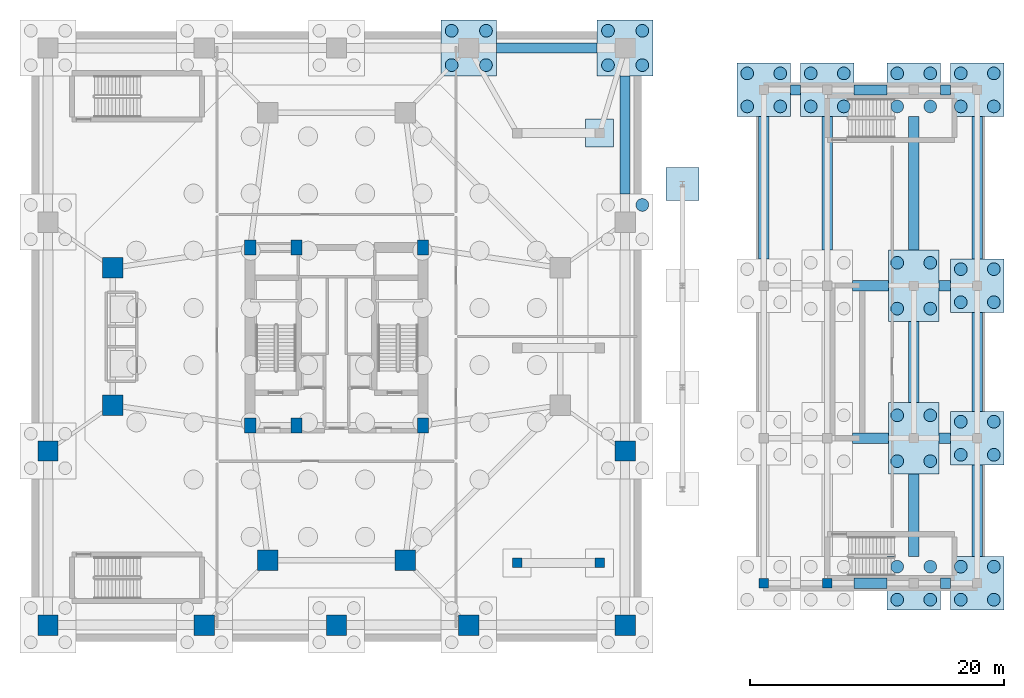
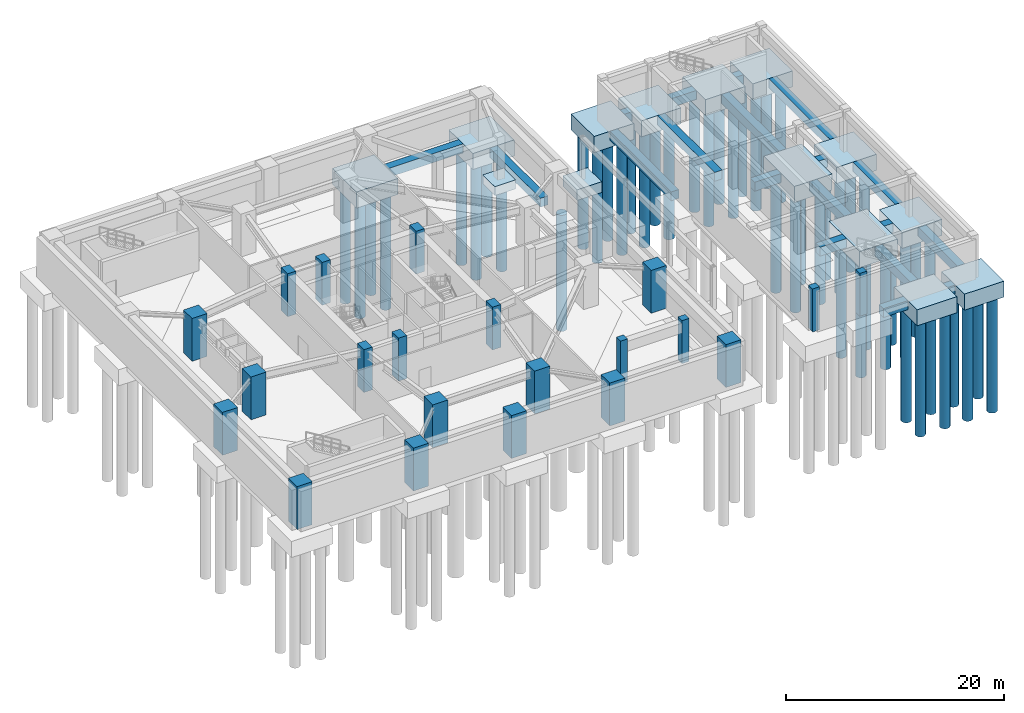
# One storey, part 2 of 11: 49 piles, 33 footings, 21 columns.
"""IFC4 building model written with IfcOpenShell, lengths in metres."""

from ifc_helpers import new_model, si_unit, direction, frame, origin, origin_2d, place, context, subcontext, project, spatial, rectangle, circle, extrude, source, transform, mapped, material, material_profile, profile_set, type_object, element, save


model = new_model("IFC4")

# Units and contexts
model_context = context("Model", 3, precision=1e-05, world=origin(), true_north=direction((0.0, 1.0)))
body_context = subcontext(model_context, "Body", "Model", "MODEL_VIEW")
ifc_project = project(units=[si_unit("LENGTHUNIT", "METRE"), si_unit("AREAUNIT", "SQUARE_METRE"), si_unit("VOLUMEUNIT", "CUBIC_METRE"), si_unit("PLANEANGLEUNIT", "RADIAN"), si_unit("MASSUNIT", "GRAM", prefix="KILO")], contexts=[model_context])

# Site, building, storey
site_placement = place(None, origin())
site = spatial("IfcSite", under=ifc_project, at=site_placement, CompositionType="ELEMENT")
building_placement = place(site_placement, origin())
building = spatial("IfcBuilding", under=site, at=building_placement, Name="Veraguas Prism Commons", CompositionType="ELEMENT")
storey_placement = place(building_placement, frame((0.0, 0.0, -10.0)))
storey = spatial("IfcBuildingStorey", under=building, at=storey_placement, Name="B2", CompositionType="ELEMENT", Elevation=-10.0)

# Footings
ifc_material_1 = material(Name="Concrete C45/55", Category="concrete")
ifc_material_profile_1 = material_profile(ifc_material_1, rectangle(XDim=0.800048828125, YDim=1.0, at=origin_2d()), Name="RC800X1000")
ifc_profile_set_1 = profile_set([ifc_material_profile_1], Name="Concrete C45/55")
footing_type_1 = type_object("IfcFootingType", Name="Substructure Ground Tie Beam RC 800x1000", PredefinedType="FOOTING_BEAM", material=ifc_profile_set_1)
footing_1_placement = place(storey_placement, frame((46.699951171875, 35.199951171875, -0.5), z_axis=(0.0, 1.0, 0.0), x_axis=(-1.0, 0.0, 0.0)))
element("IfcFooting", 1, at=footing_1_placement, inside=storey, type_object=footing_type_1, Name="Podium Ground Tie Beam FBP-07", PredefinedType="FOOTING_BEAM", context=body_context, shape_type="SweptSolid", body=[
    extrude(rectangle(XDim=0.800048828125, YDim=1.0, at=origin_2d()), origin(), (0.0, 0.0, 1.0), 9.300048828125),
])
footing_2_placement = place(storey_placement, frame((44.5, 46.699951171875, -0.5), z_axis=(-1.0, 0.0, 0.0), x_axis=(0.0, -1.0, 0.0)))
element("IfcFooting", 2, at=footing_2_placement, inside=storey, type_object=footing_type_1, Name="Podium Ground Tie Beam FBP-08", PredefinedType="FOOTING_BEAM", context=body_context, shape_type="SweptSolid", body=[
    extrude(rectangle(XDim=0.800048828125, YDim=1.0, at=origin_2d()), origin(), (0.0, 0.0, 1.0), 7.89990234375),
])
footing_3_placement = place(storey_placement, frame((64.699951171875, 4.60009765625, -0.5), z_axis=(1.0, 0.0, 0.0), x_axis=(0.0, 1.0, 0.0)))
element("IfcFooting", 3, at=footing_3_placement, inside=storey, type_object=footing_type_1, Name="Health Centre Ground Tie Beam FBC-02", PredefinedType="FOOTING_BEAM", context=body_context, shape_type="SweptSolid", body=[
    extrude(rectangle(XDim=0.800048828125, YDim=1.0, at=origin_2d()), origin(), (0.0, 0.0, 1.0), 2.60009765625),
])
footing_4_placement = place(storey_placement, frame((71.5, 4.60009765625, -0.5), z_axis=(1.0, 0.0, 0.0), x_axis=(0.0, 1.0, 0.0)))
element("IfcFooting", 4, at=footing_4_placement, inside=storey, type_object=footing_type_1, Name="Health Centre Ground Tie Beam FBC-03", PredefinedType="FOOTING_BEAM", context=body_context, shape_type="SweptSolid", body=[
    extrude(rectangle(XDim=0.800048828125, YDim=1.0, at=origin_2d()), origin(), (0.0, 0.0, 1.0), 0.800048828125),
])
footing_5_placement = place(storey_placement, frame((64.60009765625, 16.0, -0.5), z_axis=(1.0, 0.0, 0.0), x_axis=(0.0, 1.0, 0.0)))
element("IfcFooting", 5, at=footing_5_placement, inside=storey, type_object=footing_type_1, Name="Health Centre Ground Tie Beam FBC-05", PredefinedType="FOOTING_BEAM", context=body_context, shape_type="SweptSolid", body=[
    extrude(rectangle(XDim=0.800048828125, YDim=1.0, at=origin_2d()), origin(), (0.0, 0.0, 1.0), 2.7998046875),
])
footing_6_placement = place(storey_placement, frame((71.39990234375, 16.0, -0.5), z_axis=(1.0, 0.0, 0.0), x_axis=(0.0, 1.0, 0.0)))
element("IfcFooting", 6, at=footing_6_placement, inside=storey, type_object=footing_type_1, Name="Health Centre Ground Tie Beam FBC-06", PredefinedType="FOOTING_BEAM", context=body_context, shape_type="SweptSolid", body=[
    extrude(rectangle(XDim=0.800048828125, YDim=1.0, at=origin_2d()), origin(), (0.0, 0.0, 1.0), 0.900146484375),
])
footing_7_placement = place(storey_placement, frame((64.60009765625, 28.0, -0.5), z_axis=(1.0, 0.0, 0.0), x_axis=(0.0, 1.0, 0.0)))
element("IfcFooting", 7, at=footing_7_placement, inside=storey, type_object=footing_type_1, Name="Health Centre Ground Tie Beam FBC-08", PredefinedType="FOOTING_BEAM", context=body_context, shape_type="SweptSolid", body=[
    extrude(rectangle(XDim=0.800048828125, YDim=1.0, at=origin_2d()), origin(), (0.0, 0.0, 1.0), 2.7998046875),
])
footing_8_placement = place(storey_placement, frame((71.39990234375, 28.0, -0.5), z_axis=(1.0, 0.0, 0.0), x_axis=(0.0, 1.0, 0.0)))
element("IfcFooting", 8, at=footing_8_placement, inside=storey, type_object=footing_type_1, Name="Health Centre Ground Tie Beam FBC-09", PredefinedType="FOOTING_BEAM", context=body_context, shape_type="SweptSolid", body=[
    extrude(rectangle(XDim=0.800048828125, YDim=1.0, at=origin_2d()), origin(), (0.0, 0.0, 1.0), 0.900146484375),
])
footing_9_placement = place(storey_placement, frame((59.699951171875, 43.39990234375, -0.5), z_axis=(1.0, 0.0, 0.0), x_axis=(0.0, 1.0, 0.0)))
element("IfcFooting", 9, at=footing_9_placement, inside=storey, type_object=footing_type_1, Name="Health Centre Ground Tie Beam FBC-10", PredefinedType="FOOTING_BEAM", context=body_context, shape_type="SweptSolid", body=[
    extrude(rectangle(XDim=0.800048828125, YDim=1.0, at=origin_2d()), origin(), (0.0, 0.0, 1.0), 0.800048828125),
])
footing_10_placement = place(storey_placement, frame((64.699951171875, 43.39990234375, -0.5), z_axis=(1.0, 0.0, 0.0), x_axis=(0.0, 1.0, 0.0)))
element("IfcFooting", 10, at=footing_10_placement, inside=storey, type_object=footing_type_1, Name="Health Centre Ground Tie Beam FBC-11", PredefinedType="FOOTING_BEAM", context=body_context, shape_type="SweptSolid", body=[
    extrude(rectangle(XDim=0.800048828125, YDim=1.0, at=origin_2d()), origin(), (0.0, 0.0, 1.0), 2.60009765625),
])
footing_11_placement = place(storey_placement, frame((71.5, 43.39990234375, -0.5), z_axis=(1.0, 0.0, 0.0), x_axis=(0.0, 1.0, 0.0)))
element("IfcFooting", 11, at=footing_11_placement, inside=storey, type_object=footing_type_1, Name="Health Centre Ground Tie Beam FBC-12", PredefinedType="FOOTING_BEAM", context=body_context, shape_type="SweptSolid", body=[
    extrude(rectangle(XDim=0.800048828125, YDim=1.0, at=origin_2d()), origin(), (0.0, 0.0, 1.0), 0.800048828125),
])
footing_12_placement = place(storey_placement, frame((57.60009765625, 30.10009765625, -0.5), z_axis=(0.0, 1.0, 0.0), x_axis=(-1.0, 0.0, 0.0)))
element("IfcFooting", 12, at=footing_12_placement, inside=storey, type_object=footing_type_1, Name="Health Centre Ground Tie Beam FBC-15", PredefinedType="FOOTING_BEAM", context=body_context, shape_type="SweptSolid", body=[
    extrude(rectangle(XDim=0.800048828125, YDim=1.0, at=origin_2d()), origin(), (0.0, 0.0, 1.0), 11.199951171875),
])
footing_13_placement = place(storey_placement, frame((62.60009765625, 30.800048828125, -0.5), z_axis=(0.0, 1.0, 0.0), x_axis=(-1.0, 0.0, 0.0)))
element("IfcFooting", 13, at=footing_13_placement, inside=storey, type_object=footing_type_1, Name="Health Centre Ground Tie Beam FBC-18", PredefinedType="FOOTING_BEAM", context=body_context, shape_type="SweptSolid", body=[
    extrude(rectangle(XDim=0.800048828125, YDim=1.0, at=origin_2d()), origin(), (0.0, 0.0, 1.0), 10.5),
])
footing_14_placement = place(storey_placement, frame((69.39990234375, 6.699951171875, -0.5), z_axis=(0.0, 1.0, 0.0), x_axis=(-1.0, 0.0, 0.0)))
element("IfcFooting", 14, at=footing_14_placement, inside=storey, type_object=footing_type_1, Name="Health Centre Ground Tie Beam FBC-19", PredefinedType="FOOTING_BEAM", context=body_context, shape_type="SweptSolid", body=[
    extrude(rectangle(XDim=0.800048828125, YDim=1.0, at=origin_2d()), origin(), (0.0, 0.0, 1.0), 6.5),
])
footing_15_placement = place(storey_placement, frame((69.39990234375, 18.800048828125, -0.5), z_axis=(0.0, 1.0, 0.0), x_axis=(-1.0, 0.0, 0.0)))
element("IfcFooting", 15, at=footing_15_placement, inside=storey, type_object=footing_type_1, Name="Health Centre Ground Tie Beam FBC-20", PredefinedType="FOOTING_BEAM", context=body_context, shape_type="SweptSolid", body=[
    extrude(rectangle(XDim=0.800048828125, YDim=1.0, at=origin_2d()), origin(), (0.0, 0.0, 1.0), 6.39990234375),
])
footing_16_placement = place(storey_placement, frame((69.39990234375, 30.800048828125, -0.5), z_axis=(0.0, 1.0, 0.0), x_axis=(-1.0, 0.0, 0.0)))
element("IfcFooting", 16, at=footing_16_placement, inside=storey, type_object=footing_type_1, Name="Health Centre Ground Tie Beam FBC-21", PredefinedType="FOOTING_BEAM", context=body_context, shape_type="SweptSolid", body=[
    extrude(rectangle(XDim=0.800048828125, YDim=1.0, at=origin_2d()), origin(), (0.0, 0.0, 1.0), 10.5),
])
footing_17_placement = place(storey_placement, frame((74.39990234375, 6.699951171875, -0.5), z_axis=(0.0, 1.0, 0.0), x_axis=(-1.0, 0.0, 0.0)))
element("IfcFooting", 17, at=footing_17_placement, inside=storey, type_object=footing_type_1, Name="Health Centre Ground Tie Beam FBC-22", PredefinedType="FOOTING_BEAM", context=body_context, shape_type="SweptSolid", body=[
    extrude(rectangle(XDim=0.800048828125, YDim=1.0, at=origin_2d()), origin(), (0.0, 0.0, 1.0), 7.199951171875),
])
footing_18_placement = place(storey_placement, frame((74.39990234375, 18.10009765625, -0.5), z_axis=(0.0, 1.0, 0.0), x_axis=(-1.0, 0.0, 0.0)))
element("IfcFooting", 18, at=footing_18_placement, inside=storey, type_object=footing_type_1, Name="Health Centre Ground Tie Beam FBC-23", PredefinedType="FOOTING_BEAM", context=body_context, shape_type="SweptSolid", body=[
    extrude(rectangle(XDim=0.800048828125, YDim=1.0, at=origin_2d()), origin(), (0.0, 0.0, 1.0), 7.7998046875),
])
footing_19_placement = place(storey_placement, frame((74.39990234375, 30.10009765625, -0.5), z_axis=(0.0, 1.0, 0.0), x_axis=(-1.0, 0.0, 0.0)))
element("IfcFooting", 19, at=footing_19_placement, inside=storey, type_object=footing_type_1, Name="Health Centre Ground Tie Beam FBC-24", PredefinedType="FOOTING_BEAM", context=body_context, shape_type="SweptSolid", body=[
    extrude(rectangle(XDim=0.800048828125, YDim=1.0, at=origin_2d()), origin(), (0.0, 0.0, 1.0), 11.199951171875),
])
footing_type_2 = type_object("IfcFootingType", Name="Podium 4-Pile Column Cap 4400x4400x1800", PredefinedType="PILE_CAP", material=ifc_material_1)
shared_shape_1 = source(origin(), body_context, "Body", "SweptSolid", [
    extrude(rectangle(XDim=4.39990234375, YDim=4.39990234375, at=origin_2d()), origin(), (0.0, 0.0, 1.0), 1.800048828125),
])
for number, where, z_axis, x_axis, name in (
    (20, (34.39990234375, 46.699951171875, -1.7998046875), (0.0, 0.0, 1.0), (1.0, 0.0, 0.0), "Podium Pile Cap PC1-13"),
    (21, (46.699951171875, 46.699951171875, -1.7998046875), (0.0, 0.0, 1.0), (1.0, 0.0, 0.0), "Podium Pile Cap PC1-14"),
):
    element("IfcFooting", number, at=place(storey_placement, frame(where, z_axis=z_axis, x_axis=x_axis)), inside=storey, type_object=footing_type_2, Name=name, PredefinedType="PILE_CAP", context=body_context, shape_type="MappedRepresentation", body=[
        mapped(shared_shape_1, transform((0.0, 0.0, 0.0), scale=1.0)),
    ])

# Piles
ifc_material_profile_2 = material_profile(ifc_material_1, circle(Radius=0.5, at=origin_2d()), Name="PILE1000")
ifc_profile_set_2 = profile_set([ifc_material_profile_2], Name="Concrete C45/55")
pile_type = type_object("IfcPileType", Name="Bored Socketed Pile D1000", PredefinedType="BORED", material=ifc_profile_set_2)
shared_shape_2 = source(origin(), body_context, "Body", "SweptSolid", [
    extrude(circle(Radius=0.5, at=origin_2d()), origin(), (0.0, 0.0, 1.0), 13.0),
])
for number, where, z_axis, x_axis, name in (
    (22, (48.050048828125, 34.35009765625, -1.64990234375), (0.0, 0.0, -1.0), (1.0, 0.0, 0.0), "Bored Socketed Pile P088"),
    (23, (33.050048828125, 45.35009765625, -1.64990234375), (0.0, 0.0, -1.0), (1.0, 0.0, 0.0), "Bored Socketed Pile P101"),
    (24, (33.050048828125, 48.050048828125, -1.64990234375), (0.0, 0.0, -1.0), (1.0, 0.0, 0.0), "Bored Socketed Pile P102"),
    (25, (35.75, 45.35009765625, -1.64990234375), (0.0, 0.0, -1.0), (1.0, 0.0, 0.0), "Bored Socketed Pile P103"),
    (26, (35.75, 48.050048828125, -1.64990234375), (0.0, 0.0, -1.0), (1.0, 0.0, 0.0), "Bored Socketed Pile P104"),
    (27, (45.35009765625, 45.35009765625, -1.64990234375), (0.0, 0.0, -1.0), (1.0, 0.0, 0.0), "Bored Socketed Pile P105"),
    (28, (45.35009765625, 48.050048828125, -1.64990234375), (0.0, 0.0, -1.0), (1.0, 0.0, 0.0), "Bored Socketed Pile P106"),
    (29, (48.050048828125, 45.35009765625, -1.64990234375), (0.0, 0.0, -1.0), (1.0, 0.0, 0.0), "Bored Socketed Pile P107"),
    (30, (48.050048828125, 48.050048828125, -1.64990234375), (0.0, 0.0, -1.0), (1.0, 0.0, 0.0), "Bored Socketed Pile P108"),
    (31, (56.300048828125, 42.10009765625, -1.64990234375), (0.0, 0.0, -1.0), (1.0, 0.0, 0.0), "Bored Socketed Pile C121"),
    (32, (56.300048828125, 44.699951171875, -1.64990234375), (0.0, 0.0, -1.0), (1.0, 0.0, 0.0), "Bored Socketed Pile C122"),
    (33, (58.89990234375, 42.10009765625, -1.64990234375), (0.0, 0.0, -1.0), (1.0, 0.0, 0.0), "Bored Socketed Pile C123"),
    (34, (58.89990234375, 44.699951171875, -1.64990234375), (0.0, 0.0, -1.0), (1.0, 0.0, 0.0), "Bored Socketed Pile C124"),
    (35, (61.300048828125, 42.10009765625, -1.64990234375), (0.0, 0.0, -1.0), (1.0, 0.0, 0.0), "Bored Socketed Pile C137"),
    (36, (61.300048828125, 44.699951171875, -1.64990234375), (0.0, 0.0, -1.0), (1.0, 0.0, 0.0), "Bored Socketed Pile C138"),
    (37, (63.89990234375, 42.10009765625, -1.64990234375), (0.0, 0.0, -1.0), (1.0, 0.0, 0.0), "Bored Socketed Pile C139"),
    (38, (63.89990234375, 44.699951171875, -1.64990234375), (0.0, 0.0, -1.0), (1.0, 0.0, 0.0), "Bored Socketed Pile C140"),
    (39, (68.10009765625, 3.300048828125, -1.64990234375), (0.0, 0.0, -1.0), (1.0, 0.0, 0.0), "Bored Socketed Pile C141"),
    (40, (68.10009765625, 5.89990234375, -1.64990234375), (0.0, 0.0, -1.0), (1.0, 0.0, 0.0), "Bored Socketed Pile C142"),
    (41, (70.699951171875, 3.300048828125, -1.64990234375), (0.0, 0.0, -1.0), (1.0, 0.0, 0.0), "Bored Socketed Pile C143"),
    (42, (70.699951171875, 5.89990234375, -1.64990234375), (0.0, 0.0, -1.0), (1.0, 0.0, 0.0), "Bored Socketed Pile C144"),
    (43, (68.10009765625, 14.199951171875, -1.64990234375), (0.0, 0.0, -1.0), (1.0, 0.0, 0.0), "Bored Socketed Pile C145"),
    (44, (68.10009765625, 17.800048828125, -1.64990234375), (0.0, 0.0, -1.0), (1.0, 0.0, 0.0), "Bored Socketed Pile C146"),
    (45, (70.699951171875, 14.199951171875, -1.64990234375), (0.0, 0.0, -1.0), (1.0, 0.0, 0.0), "Bored Socketed Pile C147"),
    (46, (70.699951171875, 17.800048828125, -1.64990234375), (0.0, 0.0, -1.0), (1.0, 0.0, 0.0), "Bored Socketed Pile C148"),
    (47, (68.10009765625, 26.199951171875, -1.64990234375), (0.0, 0.0, -1.0), (1.0, 0.0, 0.0), "Bored Socketed Pile C149"),
    (48, (68.10009765625, 29.800048828125, -1.64990234375), (0.0, 0.0, -1.0), (1.0, 0.0, 0.0), "Bored Socketed Pile C150"),
    (49, (70.699951171875, 26.199951171875, -1.64990234375), (0.0, 0.0, -1.0), (1.0, 0.0, 0.0), "Bored Socketed Pile C151"),
    (50, (70.699951171875, 29.800048828125, -1.64990234375), (0.0, 0.0, -1.0), (1.0, 0.0, 0.0), "Bored Socketed Pile C152"),
    (51, (68.10009765625, 42.10009765625, -1.64990234375), (0.0, 0.0, -1.0), (1.0, 0.0, 0.0), "Bored Socketed Pile C153"),
    (52, (68.10009765625, 44.699951171875, -1.64990234375), (0.0, 0.0, -1.0), (1.0, 0.0, 0.0), "Bored Socketed Pile C154"),
    (53, (70.699951171875, 42.10009765625, -1.64990234375), (0.0, 0.0, -1.0), (1.0, 0.0, 0.0), "Bored Socketed Pile C155"),
    (54, (70.699951171875, 44.699951171875, -1.64990234375), (0.0, 0.0, -1.0), (1.0, 0.0, 0.0), "Bored Socketed Pile C156"),
    (55, (73.10009765625, 3.300048828125, -1.64990234375), (0.0, 0.0, -1.0), (1.0, 0.0, 0.0), "Bored Socketed Pile C157"),
    (56, (73.10009765625, 5.89990234375, -1.64990234375), (0.0, 0.0, -1.0), (1.0, 0.0, 0.0), "Bored Socketed Pile C158"),
    (57, (75.699951171875, 3.300048828125, -1.64990234375), (0.0, 0.0, -1.0), (1.0, 0.0, 0.0), "Bored Socketed Pile C159"),
    (58, (75.699951171875, 5.89990234375, -1.64990234375), (0.0, 0.0, -1.0), (1.0, 0.0, 0.0), "Bored Socketed Pile C160"),
    (59, (73.10009765625, 14.699951171875, -1.64990234375), (0.0, 0.0, -1.0), (1.0, 0.0, 0.0), "Bored Socketed Pile C161"),
    (60, (73.10009765625, 17.300048828125, -1.64990234375), (0.0, 0.0, -1.0), (1.0, 0.0, 0.0), "Bored Socketed Pile C162"),
    (61, (75.699951171875, 14.699951171875, -1.64990234375), (0.0, 0.0, -1.0), (1.0, 0.0, 0.0), "Bored Socketed Pile C163"),
    (62, (75.699951171875, 17.300048828125, -1.64990234375), (0.0, 0.0, -1.0), (1.0, 0.0, 0.0), "Bored Socketed Pile C164"),
    (63, (73.10009765625, 26.699951171875, -1.64990234375), (0.0, 0.0, -1.0), (1.0, 0.0, 0.0), "Bored Socketed Pile C165"),
    (64, (73.10009765625, 29.300048828125, -1.64990234375), (0.0, 0.0, -1.0), (1.0, 0.0, 0.0), "Bored Socketed Pile C166"),
    (65, (75.699951171875, 26.699951171875, -1.64990234375), (0.0, 0.0, -1.0), (1.0, 0.0, 0.0), "Bored Socketed Pile C167"),
    (66, (75.699951171875, 29.300048828125, -1.64990234375), (0.0, 0.0, -1.0), (1.0, 0.0, 0.0), "Bored Socketed Pile C168"),
    (67, (73.10009765625, 42.10009765625, -1.64990234375), (0.0, 0.0, -1.0), (1.0, 0.0, 0.0), "Bored Socketed Pile C169"),
    (68, (73.10009765625, 44.699951171875, -1.64990234375), (0.0, 0.0, -1.0), (1.0, 0.0, 0.0), "Bored Socketed Pile C170"),
    (69, (75.699951171875, 42.10009765625, -1.64990234375), (0.0, 0.0, -1.0), (1.0, 0.0, 0.0), "Bored Socketed Pile C171"),
    (70, (75.699951171875, 44.699951171875, -1.64990234375), (0.0, 0.0, -1.0), (1.0, 0.0, 0.0), "Bored Socketed Pile C172"),
):
    element("IfcPile", number, at=place(storey_placement, frame(where, z_axis=z_axis, x_axis=x_axis)), inside=storey, type_object=pile_type, Name=name, PredefinedType="BORED", context=body_context, shape_type="MappedRepresentation", body=[
        mapped(shared_shape_2, transform((0.0, 0.0, 0.0), scale=1.0)),
    ])

# Footings
footing_type_3 = type_object("IfcFootingType", Name="Clinic 4-Pile Column Cap 4200x4200x1800", PredefinedType="PILE_CAP", material=ifc_material_1)
shared_shape_3 = source(origin(), body_context, "Body", "SweptSolid", [
    extrude(rectangle(XDim=4.199951171875, YDim=4.199951171875, at=origin_2d()), origin(), (0.0, 0.0, 1.0), 1.800048828125),
])
for number, where, z_axis, x_axis, name in (
    (71, (57.60009765625, 43.39990234375, -1.7998046875), (0.0, 0.0, 1.0), (1.0, 0.0, 0.0), "Health Centre Pile Cap PCC-04"),
    (72, (62.60009765625, 43.39990234375, -1.7998046875), (0.0, 0.0, 1.0), (1.0, 0.0, 0.0), "Health Centre Pile Cap PCC-08"),
    (73, (69.39990234375, 4.60009765625, -1.7998046875), (0.0, 0.0, 1.0), (1.0, 0.0, 0.0), "Health Centre Pile Cap PCC-09"),
    (74, (69.39990234375, 43.39990234375, -1.7998046875), (0.0, 0.0, 1.0), (1.0, 0.0, 0.0), "Health Centre Pile Cap PCC-12"),
    (75, (74.39990234375, 4.60009765625, -1.7998046875), (0.0, 0.0, 1.0), (1.0, 0.0, 0.0), "Health Centre Pile Cap PCC-13"),
    (76, (74.39990234375, 16.0, -1.7998046875), (0.0, 0.0, 1.0), (1.0, 0.0, 0.0), "Health Centre Pile Cap PCC-14"),
    (77, (74.39990234375, 28.0, -1.7998046875), (0.0, 0.0, 1.0), (1.0, 0.0, 0.0), "Health Centre Pile Cap PCC-15"),
    (78, (74.39990234375, 43.39990234375, -1.7998046875), (0.0, 0.0, 1.0), (1.0, 0.0, 0.0), "Health Centre Pile Cap PCC-16"),
):
    element("IfcFooting", number, at=place(storey_placement, frame(where, z_axis=z_axis, x_axis=x_axis)), inside=storey, type_object=footing_type_3, Name=name, PredefinedType="PILE_CAP", context=body_context, shape_type="MappedRepresentation", body=[
        mapped(shared_shape_3, transform((0.0, 0.0, 0.0), scale=1.0)),
    ])
footing_type_4 = type_object("IfcFootingType", Name="Clinic Core Shear Wall Cap 5600x4000x1800", PredefinedType="PILE_CAP", material=ifc_material_1)
shared_shape_4 = source(origin(), body_context, "Body", "SweptSolid", [
    extrude(rectangle(XDim=4.0, YDim=5.60009765625, at=origin_2d()), origin(), (0.0, 0.0, 1.0), 1.800048828125),
])
for number, where, z_axis, x_axis, name in (
    (79, (69.39990234375, 16.0, -1.7998046875), (0.0, 0.0, 1.0), (1.0, 0.0, 0.0), "Health Centre Pile Cap PCC-10"),
    (80, (69.39990234375, 28.0, -1.7998046875), (0.0, 0.0, 1.0), (1.0, 0.0, 0.0), "Health Centre Pile Cap PCC-11"),
):
    element("IfcFooting", number, at=place(storey_placement, frame(where, z_axis=z_axis, x_axis=x_axis)), inside=storey, type_object=footing_type_4, Name=name, PredefinedType="PILE_CAP", context=body_context, shape_type="MappedRepresentation", body=[
        mapped(shared_shape_4, transform((0.0, 0.0, 0.0), scale=1.0)),
    ])
footing_type_5 = type_object("IfcFootingType", Name="Plaza Canopy Pad Footing 2600x2600x1200", PredefinedType="PAD_FOOTING", material=ifc_material_1)
shared_shape_5 = source(origin(), body_context, "Body", "SweptSolid", [
    extrude(rectangle(XDim=2.60009765625, YDim=2.60009765625, at=origin_2d()), origin(), (0.0, 0.0, 1.0), 1.199951171875),
])
footing_20_placement = place(storey_placement, frame((51.199951171875, 36.0, -1.2001953125), z_axis=(0.0, 0.0, 1.0), x_axis=(1.0, 0.0, 0.0)))
element("IfcFooting", 81, at=footing_20_placement, inside=storey, type_object=footing_type_5, Name="Plaza Pad Footing PF-04", PredefinedType="PAD_FOOTING", context=body_context, shape_type="MappedRepresentation", body=[
    mapped(shared_shape_5, transform((0.0, 0.0, 0.0), scale=1.0)),
])
footing_type_6 = type_object("IfcFootingType", Name="Ramp Portal Pad Footing 2200x2200x1000", PredefinedType="PAD_FOOTING", material=ifc_material_1)
shared_shape_6 = source(origin(), body_context, "Body", "SweptSolid", [
    extrude(rectangle(XDim=2.199951171875, YDim=2.199951171875, at=origin_2d()), origin(), (0.0, 0.0, 1.0), 1.0),
])
footing_21_placement = place(storey_placement, frame((44.699951171875, 40.0, -1.0), z_axis=(0.0, 0.0, 1.0), x_axis=(1.0, 0.0, 0.0)))
element("IfcFooting", 82, at=footing_21_placement, inside=storey, type_object=footing_type_6, Name="Ramp Portal Pad Footing PFR-02", PredefinedType="PAD_FOOTING", context=body_context, shape_type="MappedRepresentation", body=[
    mapped(shared_shape_6, transform((0.0, 0.0, 0.0), scale=1.0)),
])

# Columns
ifc_material_2 = material(Name="Concrete C50/60", Category="concrete")
ifc_material_profile_3 = material_profile(ifc_material_2, rectangle(XDim=0.75, YDim=0.75, at=origin_2d()), Name="RC750X750")
ifc_profile_set_3 = profile_set([ifc_material_profile_3], Name="Concrete C50/60")
column_type_1 = type_object("IfcColumnType", Name="Column Clinic RC 750x750", PredefinedType="COLUMN", material=ifc_profile_set_3)
for number, where, z_axis, x_axis, name in (
    (83, (38.199951171875, 6.199951171875, 0.0), (0.0, 0.0, 1.0), (1.0, 0.0, 0.0), "Vehicle Ramp Foot Column B2-RMB01"),
    (84, (44.699951171875, 6.199951171875, 0.0), (0.0, 0.0, 1.0), (1.0, 0.0, 0.0), "Vehicle Ramp Foot Column B2-RMB02"),
    (85, (57.60009765625, 4.60009765625, 0.0), (0.0, 0.0, 1.0), (1.0, 0.0, 0.0), "Health Centre Column B2-HC01"),
    (86, (62.60009765625, 4.60009765625, 0.0), (0.0, 0.0, 1.0), (1.0, 0.0, 0.0), "Health Centre Column B2-HC05"),
):
    element("IfcColumn", number, at=place(storey_placement, frame(where, z_axis=z_axis, x_axis=x_axis)), inside=storey, type_object=column_type_1, Name=name, PredefinedType="COLUMN", context=body_context, shape_type="SweptSolid", body=[
        extrude(rectangle(XDim=0.75, YDim=0.75, at=origin_2d()), origin(), (0.0, 0.0, 1.0), 4.800048828125),
    ])
ifc_material_3 = material(Name="Concrete C60/75", Category="concrete")
ifc_material_profile_4 = material_profile(ifc_material_3, rectangle(XDim=1.60009765625, YDim=1.60009765625, at=origin_2d()), Name="RC1600X1600")
ifc_profile_set_4 = profile_set([ifc_material_profile_4], Name="Concrete C60/75")
column_type_2 = type_object("IfcColumnType", Name="Column Mega RC 1600x1600", PredefinedType="COLUMN", material=ifc_profile_set_4)
for number, where, z_axis, x_axis, name in (
    (87, (1.300048828125, 1.300048828125, 0.0), (0.0, 0.0, 1.0), (1.0, 0.0, 0.0), "Podium Mega Column B2-PD01"),
    (88, (13.60009765625, 1.300048828125, 0.0), (0.0, 0.0, 1.0), (1.0, 0.0, 0.0), "Podium Mega Column B2-PD02"),
    (89, (24.0, 1.300048828125, 0.0), (0.0, 0.0, 1.0), (1.0, 0.0, 0.0), "Podium Mega Column B2-PD03"),
    (90, (34.39990234375, 1.300048828125, 0.0), (0.0, 0.0, 1.0), (1.0, 0.0, 0.0), "Podium Mega Column B2-PD04"),
    (91, (46.699951171875, 1.300048828125, 0.0), (0.0, 0.0, 1.0), (1.0, 0.0, 0.0), "Podium Mega Column B2-PD05"),
    (92, (1.300048828125, 15.0, 0.0), (0.0, 0.0, 1.0), (1.0, 0.0, 0.0), "Podium Mega Column B2-PD06"),
    (93, (46.699951171875, 15.0, 0.0), (0.0, 0.0, 1.0), (1.0, 0.0, 0.0), "Podium Mega Column B2-PD07"),
    (94, (6.39990234375, 29.39990234375, 0.0), (0.0, 0.0, 1.0), (1.0, 0.0, 0.0), "Tower Mega Column B2-TM05"),
    (95, (6.39990234375, 18.60009765625, 0.0), (0.0, 0.0, 1.0), (1.0, 0.0, 0.0), "Tower Mega Column B2-TM06"),
    (96, (18.60009765625, 6.39990234375, 0.0), (0.0, 0.0, 1.0), (1.0, 0.0, 0.0), "Tower Mega Column B2-TM07"),
    (97, (29.39990234375, 6.39990234375, 0.0), (0.0, 0.0, 1.0), (1.0, 0.0, 0.0), "Tower Mega Column B2-TM08"),
):
    element("IfcColumn", number, at=place(storey_placement, frame(where, z_axis=z_axis, x_axis=x_axis)), inside=storey, type_object=column_type_2, Name=name, PredefinedType="COLUMN", context=body_context, shape_type="SweptSolid", body=[
        extrude(rectangle(XDim=1.60009765625, YDim=1.60009765625, at=origin_2d()), origin(), (0.0, 0.0, 1.0), 4.800048828125),
    ])
ifc_material_profile_5 = material_profile(ifc_material_3, rectangle(XDim=0.89990234375, YDim=1.199951171875, at=origin_2d()), Name="RC900X1200")
ifc_profile_set_5 = profile_set([ifc_material_profile_5], Name="Concrete C60/75")
column_type_3 = type_object("IfcColumnType", Name="Pilaster Core Lower RC 900x1200", PredefinedType="PILASTER", material=ifc_profile_set_5)
for number, where, z_axis, x_axis, name in (
    (98, (17.199951171875, 17.0, 0.0), (0.0, 0.0, 1.0), (1.0, 0.0, 0.0), "Core Pilaster Column B2-CR1"),
    (99, (20.85009765625, 17.0, 0.0), (0.0, 0.0, 1.0), (1.0, 0.0, 0.0), "Core Pilaster Column B2-CR2"),
    (100, (30.800048828125, 17.0, 0.0), (0.0, 0.0, 1.0), (1.0, 0.0, 0.0), "Core Pilaster Column B2-CR3"),
    (101, (17.199951171875, 31.0, 0.0), (0.0, 0.0, 1.0), (1.0, 0.0, 0.0), "Core Pilaster Column B2-CR4"),
    (102, (20.85009765625, 31.0, 0.0), (0.0, 0.0, 1.0), (1.0, 0.0, 0.0), "Core Pilaster Column B2-CR5"),
    (103, (30.800048828125, 31.0, 0.0), (0.0, 0.0, 1.0), (1.0, 0.0, 0.0), "Core Pilaster Column B2-CR6"),
):
    element("IfcColumn", number, at=place(storey_placement, frame(where, z_axis=z_axis, x_axis=x_axis)), inside=storey, type_object=column_type_3, Name=name, PredefinedType="PILASTER", context=body_context, shape_type="SweptSolid", body=[
        extrude(rectangle(XDim=0.89990234375, YDim=1.199951171875, at=origin_2d()), origin(), (0.0, 0.0, 1.0), 4.800048828125),
    ])

save(model, "model.ifc")
